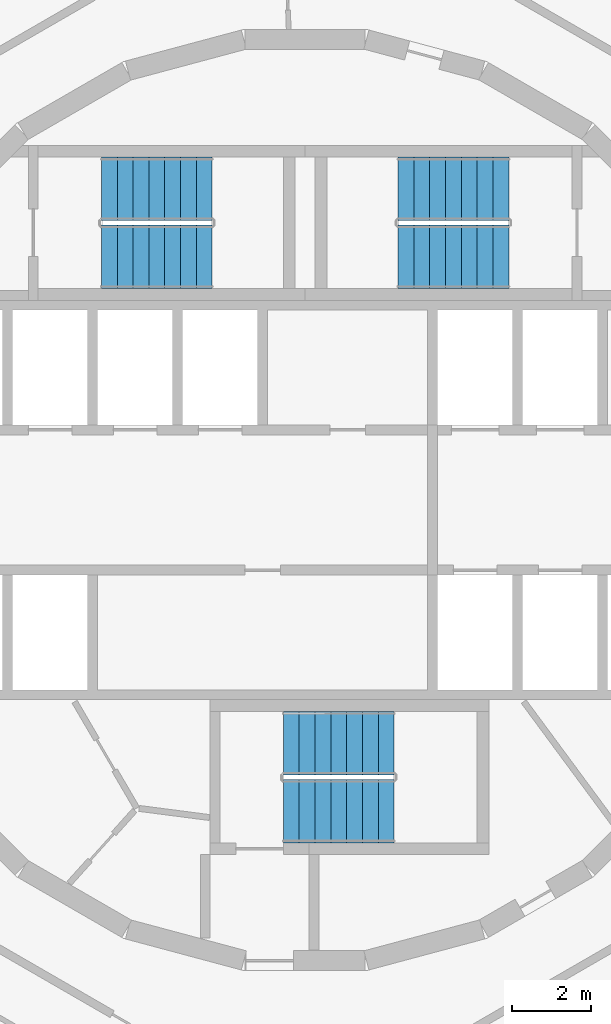
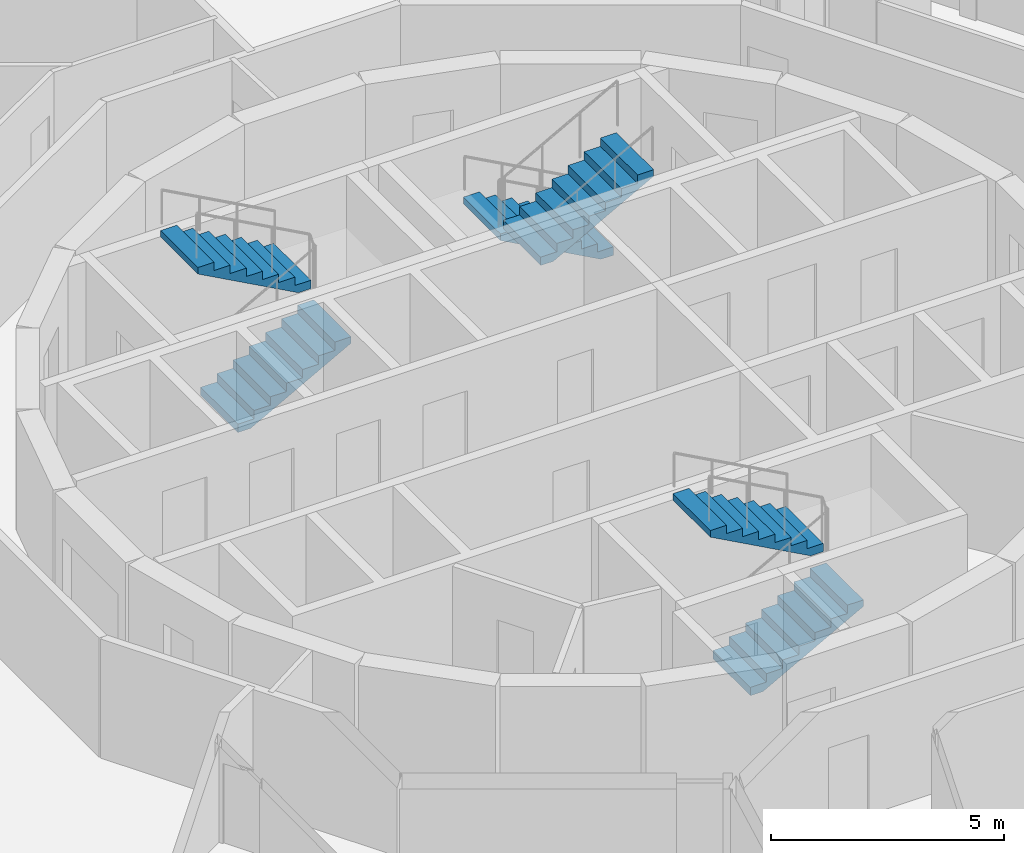
# One storey, part 19 of 21: 6 stair flights, 3 elements without a shape of their own.
"""IFC4 building model written with IfcOpenShell, lengths in metres."""

from ifc_helpers import new_model, si_unit, direction, frame, origin, place, context, subcontext, project, spatial, polyline, outline, extrude, material, type_object, element, aggregate, save


model = new_model("IFC4")

# Units and contexts
model_context = context("Model", 3, precision=1e-05, world=origin(), true_north=direction((0.0, 1.0)))
body_context = subcontext(model_context, "Body", "Model", "MODEL_VIEW")
ifc_project = project(units=[si_unit("LENGTHUNIT", "METRE"), si_unit("AREAUNIT", "SQUARE_METRE"), si_unit("VOLUMEUNIT", "CUBIC_METRE"), si_unit("PLANEANGLEUNIT", "RADIAN"), si_unit("MASSUNIT", "GRAM", prefix="KILO")], contexts=[model_context])

# Site, building, storey
site_placement = place(None, origin())
site = spatial("IfcSite", under=ifc_project, at=site_placement, CompositionType="ELEMENT")
building_placement = place(site_placement, origin())
building = spatial("IfcBuilding", under=site, at=building_placement, Name="Spindle Arch Residences", CompositionType="ELEMENT")
storey_placement = place(building_placement, frame((0.0, 0.0, 62.89990234375)))
storey = spatial("IfcBuildingStorey", under=building, at=storey_placement, Name="L14", CompositionType="ELEMENT", Elevation=62.89990234375)

# Stair, stair flights
ifc_material_1 = material(Name="Concrete C50/60", Category="concrete")
stair_type = type_object("IfcStairType", Name="Exit stair 16 risers", PredefinedType="HALF_TURN_STAIR", material=ifc_material_1)
stair_1_placement = place(storey_placement, origin())
stair_1 = element("IfcStair", 1, at=stair_1_placement, inside=storey, type_object=stair_type, Name="L14 Exit stair ST1", PredefinedType="HALF_TURN_STAIR")
ifc_material_2 = material(Name="Concrete C50/60", Category="concrete")
stair_flight_type = type_object("IfcStairFlightType", Name="Exit stair flight", PredefinedType="STRAIGHT", material=ifc_material_2)
stair_flight_1_placement = place(storey_placement, frame((5.14990234375, 7.8701171875, 0.0), z_axis=(0.0, 0.0, 1.0), x_axis=(-1.0, 0.0, 0.0)))
stair_flight_1 = element("IfcStairFlight", 2, at=stair_flight_1_placement, type_object=stair_flight_type, Name="ST1 flight 1", NumberOfRisers=8, NumberOfTreads=7, PredefinedType="STRAIGHT", RiserHeight=0.21875, TreadLength=0.4, context=body_context, shape_type="SweptSolid", body=[
    extrude(outline(polyline([(0.0, 0.0), (0.0, 0.21875), (0.39990234375, 0.21875), (0.39990234375, 0.4375), (0.800048828125, 0.4375), (0.800048828125, 0.65625), (1.199951171875, 0.65625), (1.199951171875, 0.875), (1.60009765625, 0.875), (1.60009765625, 1.09375), (2.0, 1.09375), (2.0, 1.3125), (2.39990234375, 1.3125), (2.39990234375, 1.53125), (2.800048828125, 1.53125), (2.800048828125, 1.75), (2.800048828125, 1.3603515625), (0.3125, 0.0), (0.0, 0.0)])), frame((0.0, 0.800048828125, 0.0), z_axis=(0.0, -1.0, 0.0), x_axis=(1.0, 0.0, 0.0)), (0.0, 0.0, 1.0), 1.60009765625),
])
stair_flight_2_placement = place(storey_placement, frame((2.35009765625, 6.14990234375, 1.75), z_axis=(0.0, 0.0, 1.0), x_axis=(1.0, 0.0, 0.0)))
stair_flight_2 = element("IfcStairFlight", 3, at=stair_flight_2_placement, type_object=stair_flight_type, Name="ST1 flight 2", NumberOfRisers=8, NumberOfTreads=7, PredefinedType="STRAIGHT", RiserHeight=0.21875, TreadLength=0.4, context=body_context, shape_type="SweptSolid", body=[
    extrude(outline(polyline([(0.0, 0.0), (0.0, 0.21875), (0.39990234375, 0.21875), (0.39990234375, 0.4375), (0.800048828125, 0.4375), (0.800048828125, 0.65625), (1.199951171875, 0.65625), (1.199951171875, 0.875), (1.60009765625, 0.875), (1.60009765625, 1.09375), (2.0, 1.09375), (2.0, 1.3125), (2.39990234375, 1.3125), (2.39990234375, 1.53125), (2.800048828125, 1.53125), (2.800048828125, 1.75), (2.800048828125, 1.3603515625), (0.3125, 0.0), (0.0, 0.0)])), frame((0.0, 0.800048828125, 0.0), z_axis=(0.0, -1.0, 0.0), x_axis=(1.0, 0.0, 0.0)), (0.0, 0.0, 1.0), 1.60009765625),
])
aggregate(stair_1, [stair_flight_1, stair_flight_2])

stair_2_placement = place(storey_placement, origin())
stair_2 = element("IfcStair", 4, at=stair_2_placement, inside=storey, type_object=stair_type, Name="L14 Exit stair ST2", PredefinedType="HALF_TURN_STAIR")
stair_flight_3_placement = place(storey_placement, frame((-5.14990234375, 6.14990234375, 0.0), z_axis=(0.0, 0.0, 1.0), x_axis=(1.0, 0.0, 0.0)))
stair_flight_3 = element("IfcStairFlight", 5, at=stair_flight_3_placement, type_object=stair_flight_type, Name="ST2 flight 1", NumberOfRisers=8, NumberOfTreads=7, PredefinedType="STRAIGHT", RiserHeight=0.21875, TreadLength=0.4, context=body_context, shape_type="SweptSolid", body=[
    extrude(outline(polyline([(0.0, 0.0), (0.0, 0.21875), (0.39990234375, 0.21875), (0.39990234375, 0.4375), (0.800048828125, 0.4375), (0.800048828125, 0.65625), (1.199951171875, 0.65625), (1.199951171875, 0.875), (1.60009765625, 0.875), (1.60009765625, 1.09375), (2.0, 1.09375), (2.0, 1.3125), (2.39990234375, 1.3125), (2.39990234375, 1.53125), (2.800048828125, 1.53125), (2.800048828125, 1.75), (2.800048828125, 1.3603515625), (0.3125, 0.0), (0.0, 0.0)])), frame((0.0, 0.800048828125, 0.0), z_axis=(0.0, -1.0, 0.0), x_axis=(1.0, 0.0, 0.0)), (0.0, 0.0, 1.0), 1.60009765625),
])
stair_flight_4_placement = place(storey_placement, frame((-2.35009765625, 7.8701171875, 1.75), z_axis=(0.0, 0.0, 1.0), x_axis=(-1.0, 0.0, 0.0)))
stair_flight_4 = element("IfcStairFlight", 6, at=stair_flight_4_placement, type_object=stair_flight_type, Name="ST2 flight 2", NumberOfRisers=8, NumberOfTreads=7, PredefinedType="STRAIGHT", RiserHeight=0.21875, TreadLength=0.4, context=body_context, shape_type="SweptSolid", body=[
    extrude(outline(polyline([(0.0, 0.0), (0.0, 0.21875), (0.39990234375, 0.21875), (0.39990234375, 0.4375), (0.800048828125, 0.4375), (0.800048828125, 0.65625), (1.199951171875, 0.65625), (1.199951171875, 0.875), (1.60009765625, 0.875), (1.60009765625, 1.09375), (2.0, 1.09375), (2.0, 1.3125), (2.39990234375, 1.3125), (2.39990234375, 1.53125), (2.800048828125, 1.53125), (2.800048828125, 1.75), (2.800048828125, 1.3603515625), (0.3125, 0.0), (0.0, 0.0)])), frame((0.0, 0.800048828125, 0.0), z_axis=(0.0, -1.0, 0.0), x_axis=(1.0, 0.0, 0.0)), (0.0, 0.0, 1.0), 1.60009765625),
])
aggregate(stair_2, [stair_flight_3, stair_flight_4])

stair_3_placement = place(storey_placement, origin())
stair_3 = element("IfcStair", 7, at=stair_3_placement, inside=storey, type_object=stair_type, Name="L14 Exit stair ST3", PredefinedType="HALF_TURN_STAIR")
stair_flight_5_placement = place(storey_placement, frame((-0.550048828125, -7.8701171875, 0.0), z_axis=(0.0, 0.0, 1.0), x_axis=(1.0, 0.0, 0.0)))
stair_flight_5 = element("IfcStairFlight", 8, at=stair_flight_5_placement, type_object=stair_flight_type, Name="ST3 flight 1", NumberOfRisers=8, NumberOfTreads=7, PredefinedType="STRAIGHT", RiserHeight=0.21875, TreadLength=0.4, context=body_context, shape_type="SweptSolid", body=[
    extrude(outline(polyline([(0.0, 0.0), (0.0, 0.21875), (0.39990234375, 0.21875), (0.39990234375, 0.4375), (0.800048828125, 0.4375), (0.800048828125, 0.65625), (1.199951171875, 0.65625), (1.199951171875, 0.875), (1.60009765625, 0.875), (1.60009765625, 1.09375), (2.0, 1.09375), (2.0, 1.3125), (2.39990234375, 1.3125), (2.39990234375, 1.53125), (2.800048828125, 1.53125), (2.800048828125, 1.75), (2.800048828125, 1.3603515625), (0.3125, 0.0), (0.0, 0.0)])), frame((0.0, 0.800048828125, 0.0), z_axis=(0.0, -1.0, 0.0), x_axis=(1.0, 0.0, 0.0)), (0.0, 0.0, 1.0), 1.60009765625),
])
stair_flight_6_placement = place(storey_placement, frame((2.25, -6.14990234375, 1.75), z_axis=(0.0, 0.0, 1.0), x_axis=(-1.0, 0.0, 0.0)))
stair_flight_6 = element("IfcStairFlight", 9, at=stair_flight_6_placement, type_object=stair_flight_type, Name="ST3 flight 2", NumberOfRisers=8, NumberOfTreads=7, PredefinedType="STRAIGHT", RiserHeight=0.21875, TreadLength=0.4, context=body_context, shape_type="SweptSolid", body=[
    extrude(outline(polyline([(0.0, 0.0), (0.0, 0.21875), (0.39990234375, 0.21875), (0.39990234375, 0.4375), (0.800048828125, 0.4375), (0.800048828125, 0.65625), (1.199951171875, 0.65625), (1.199951171875, 0.875), (1.60009765625, 0.875), (1.60009765625, 1.09375), (2.0, 1.09375), (2.0, 1.3125), (2.39990234375, 1.3125), (2.39990234375, 1.53125), (2.800048828125, 1.53125), (2.800048828125, 1.75), (2.800048828125, 1.3603515625), (0.3125, 0.0), (0.0, 0.0)])), frame((0.0, 0.800048828125, 0.0), z_axis=(0.0, -1.0, 0.0), x_axis=(1.0, 0.0, 0.0)), (0.0, 0.0, 1.0), 1.60009765625),
])
aggregate(stair_3, [stair_flight_5, stair_flight_6])

save(model, "model.ifc")
